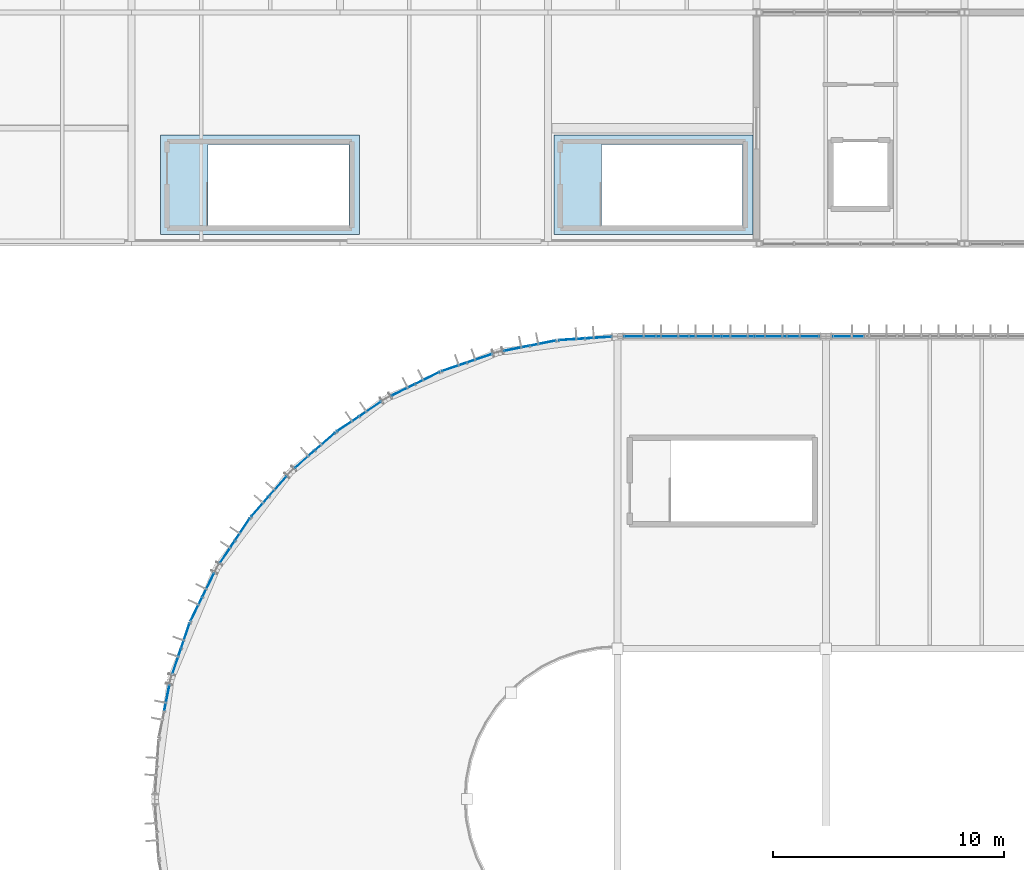
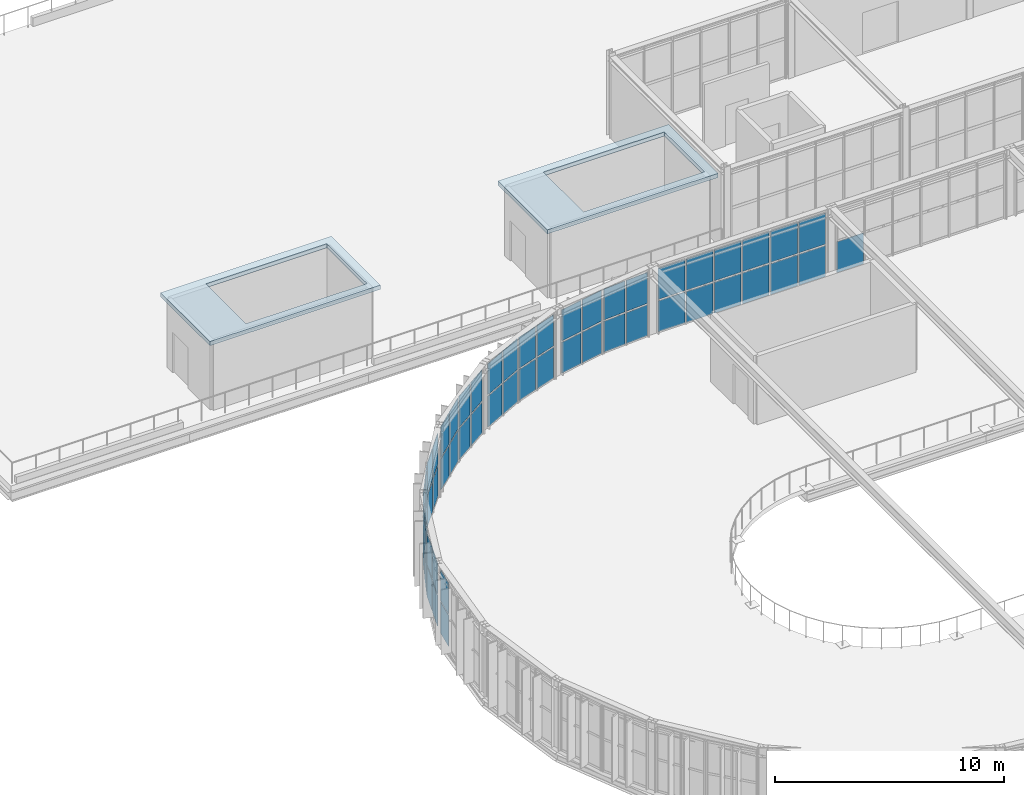
# One storey, part 109 of 152: 55 plates, 2 slabs, 13 elements without a shape of their own.
"""IFC4 building model written with IfcOpenShell, lengths in metres."""

from ifc_helpers import new_model, si_unit, derived_unit, direction, frame, origin, origin_2d, place, context, subcontext, project, spatial, polyline, rectangle, outline, extrude, material, layer, layer_set, type_object, element, aggregate, save


model = new_model("IFC4")

# Units and contexts
model_context = context("Model", 3, precision=1e-05, world=origin(), true_north=direction((0.0, 1.0)))
body_context = subcontext(model_context, "Body", "Model", "MODEL_VIEW")
ifc_project = project(units=[si_unit("LENGTHUNIT", "METRE"), si_unit("AREAUNIT", "SQUARE_METRE"), si_unit("VOLUMEUNIT", "CUBIC_METRE"), si_unit("PLANEANGLEUNIT", "RADIAN"), si_unit("MASSUNIT", "GRAM", prefix="KILO"), si_unit("THERMODYNAMICTEMPERATUREUNIT", "KELVIN"), si_unit("TIMEUNIT", "SECOND"), derived_unit("THERMALTRANSMITTANCEUNIT", [(si_unit("MASSUNIT", "GRAM", prefix="KILO"), 1), (si_unit("THERMODYNAMICTEMPERATUREUNIT", "KELVIN"), -1), (si_unit("TIMEUNIT", "SECOND"), -3)])], contexts=[model_context])

# Site, building, storey
site_placement = place(None, origin())
site = spatial("IfcSite", under=ifc_project, at=site_placement, CompositionType="ELEMENT")
building_placement = place(site_placement, origin())
building = spatial("IfcBuilding", under=site, at=building_placement, Name="Cambertide Market Hall", CompositionType="ELEMENT")
storey_placement = place(building_placement, frame((0.0, 0.0, 5.39990234375)))
storey = spatial("IfcBuildingStorey", under=building, at=storey_placement, Name="L02", CompositionType="ELEMENT", Elevation=5.39990234375)

# Slabs
ifc_material_1 = material(Name="Concrete B30", Category="concrete")
ifc_layer_1 = layer(ifc_material_1, 0.219970703125, Name="Stair Headhouse Roof Slab 220")
ifc_layer_set_1 = layer_set([ifc_layer_1], Name="Concrete B30")
slab_type = type_object("IfcSlabType", Name="Stair Headhouse Roof Slab 220", PredefinedType="ROOF", material=ifc_layer_set_1)
slab_1_placement = place(storey_placement, frame((0.0, 0.0, 3.64013671875)))
element("IfcSlab", 1, at=slab_1_placement, inside=storey, type_object=slab_type, Name="Level 2 Slab RSLB-HH-ST03", PredefinedType="ROOF", context=body_context, shape_type="SweptSolid", body=[
    extrude(outline(polyline([(22.25, 96.39990234375), (30.85009765625, 96.39990234375), (30.85009765625, 100.699951171875), (22.25, 100.699951171875), (22.25, 96.39990234375)]), holes=[polyline([(24.303955078125, 100.300048828125), (30.39990234375, 100.300048828125), (30.39990234375, 96.800048828125), (24.303955078125, 96.800048828125), (24.303955078125, 100.300048828125)])]), origin(), (0.0, 0.0, 1.0), 0.219970703125),
])
slab_2_placement = place(storey_placement, frame((0.0, 0.0, 3.64013671875)))
element("IfcSlab", 2, at=slab_2_placement, inside=storey, type_object=slab_type, Name="Level 2 Slab RSLB-HH-ST03B", PredefinedType="ROOF", context=body_context, shape_type="SweptSolid", body=[
    extrude(outline(polyline([(39.25, 96.39990234375), (47.85009765625, 96.39990234375), (47.85009765625, 100.699951171875), (39.25, 100.699951171875), (39.25, 96.39990234375)]), holes=[polyline([(41.303955078125, 100.300048828125), (47.39990234375, 100.300048828125), (47.39990234375, 96.800048828125), (41.303955078125, 96.800048828125), (41.303955078125, 100.300048828125)])]), origin(), (0.0, 0.0, 1.0), 0.219970703125),
])

# Curtain wall, plates
ifc_material_2 = material(Name="Marine Anodized Aluminium 6063-T6 AA25", Category="aluminium")
curtain_wall_type_1 = type_object("IfcCurtainWallType", Name="Lantern Straight Upper Curtain Wall", PredefinedType="USERDEFINED", material=ifc_material_2)
curtain_wall_1_placement = place(storey_placement, origin())
curtain_wall_1 = element("IfcCurtainWall", 3, at=curtain_wall_1_placement, inside=storey, type_object=curtain_wall_type_1, Name="Level 2 Curtain Wall CW-V1N-L02-1", ObjectType="UNITIZED CURTAIN WALL", PredefinedType="USERDEFINED")
ifc_material_3 = material(Name="Low-E Laminated Insulated Glass", Category="glass")
ifc_layer_2 = layer(ifc_material_3, 0.028076171875, Name="Vision Insulated Glazing Panel 28")
ifc_layer_set_2 = layer_set([ifc_layer_2], Name="Low-E Laminated Insulated Glass")
plate_type = type_object("IfcPlateType", Name="Vision Insulated Glazing Panel 28", PredefinedType="CURTAIN_PANEL", material=ifc_layer_set_2)
plate_1_placement = place(storey_placement, frame((42.958251953125, 92.0, 0.0400390625), z_axis=(0.0, 0.0, 1.0), x_axis=(1.0, 0.0, 0.0)))
plate_1 = element("IfcPlate", 4, at=plate_1_placement, type_object=plate_type, Name="CW-V1N-L02-1 Glazing Panel 1-1", PredefinedType="CURTAIN_PANEL", context=body_context, shape_type="SweptSolid", body=[
    extrude(rectangle(XDim=1.336669921875, YDim=0.028076171875, at=origin_2d()), origin(), (0.0, 0.0, 1.0), 1.64501953125),
])
plate_2_placement = place(storey_placement, frame((44.375, 92.0, 0.0400390625), z_axis=(0.0, 0.0, 1.0), x_axis=(1.0, 0.0, 0.0)))
plate_2 = element("IfcPlate", 5, at=plate_2_placement, type_object=plate_type, Name="CW-V1N-L02-1 Glazing Panel 1-2", PredefinedType="CURTAIN_PANEL", context=body_context, shape_type="SweptSolid", body=[
    extrude(rectangle(XDim=1.336669921875, YDim=0.028076171875, at=origin_2d()), origin(), (0.0, 0.0, 1.0), 1.64501953125),
])
plate_3_placement = place(storey_placement, frame((45.791748046875, 92.0, 0.0400390625), z_axis=(0.0, 0.0, 1.0), x_axis=(1.0, 0.0, 0.0)))
plate_3 = element("IfcPlate", 6, at=plate_3_placement, type_object=plate_type, Name="CW-V1N-L02-1 Glazing Panel 1-3", PredefinedType="CURTAIN_PANEL", context=body_context, shape_type="SweptSolid", body=[
    extrude(rectangle(XDim=1.336669921875, YDim=0.028076171875, at=origin_2d()), origin(), (0.0, 0.0, 1.0), 1.64501953125),
])
plate_4_placement = place(storey_placement, frame((47.208251953125, 92.0, 0.0400390625), z_axis=(0.0, 0.0, 1.0), x_axis=(1.0, 0.0, 0.0)))
plate_4 = element("IfcPlate", 7, at=plate_4_placement, type_object=plate_type, Name="CW-V1N-L02-1 Glazing Panel 1-4", PredefinedType="CURTAIN_PANEL", context=body_context, shape_type="SweptSolid", body=[
    extrude(rectangle(XDim=1.336669921875, YDim=0.028076171875, at=origin_2d()), origin(), (0.0, 0.0, 1.0), 1.64501953125),
])
plate_5_placement = place(storey_placement, frame((48.625, 92.0, 0.0400390625), z_axis=(0.0, 0.0, 1.0), x_axis=(1.0, 0.0, 0.0)))
plate_5 = element("IfcPlate", 8, at=plate_5_placement, type_object=plate_type, Name="CW-V1N-L02-1 Glazing Panel 1-5", PredefinedType="CURTAIN_PANEL", context=body_context, shape_type="SweptSolid", body=[
    extrude(rectangle(XDim=1.336669921875, YDim=0.028076171875, at=origin_2d()), origin(), (0.0, 0.0, 1.0), 1.64501953125),
])
plate_6_placement = place(storey_placement, frame((50.041748046875, 92.0, 0.0400390625), z_axis=(0.0, 0.0, 1.0), x_axis=(1.0, 0.0, 0.0)))
plate_6 = element("IfcPlate", 9, at=plate_6_placement, type_object=plate_type, Name="CW-V1N-L02-1 Glazing Panel 1-6", PredefinedType="CURTAIN_PANEL", context=body_context, shape_type="SweptSolid", body=[
    extrude(rectangle(XDim=1.336669921875, YDim=0.028076171875, at=origin_2d()), origin(), (0.0, 0.0, 1.0), 1.64501953125),
])
plate_7_placement = place(storey_placement, frame((42.958251953125, 92.0, 1.76513671875), z_axis=(0.0, 0.0, 1.0), x_axis=(1.0, 0.0, 0.0)))
plate_7 = element("IfcPlate", 10, at=plate_7_placement, type_object=plate_type, Name="CW-V1N-L02-1 Glazing Panel 2-1", PredefinedType="CURTAIN_PANEL", context=body_context, shape_type="SweptSolid", body=[
    extrude(rectangle(XDim=1.336669921875, YDim=0.028076171875, at=origin_2d()), origin(), (0.0, 0.0, 1.0), 1.64501953125),
])
plate_8_placement = place(storey_placement, frame((44.375, 92.0, 1.76513671875), z_axis=(0.0, 0.0, 1.0), x_axis=(1.0, 0.0, 0.0)))
plate_8 = element("IfcPlate", 11, at=plate_8_placement, type_object=plate_type, Name="CW-V1N-L02-1 Glazing Panel 2-2", PredefinedType="CURTAIN_PANEL", context=body_context, shape_type="SweptSolid", body=[
    extrude(rectangle(XDim=1.336669921875, YDim=0.028076171875, at=origin_2d()), origin(), (0.0, 0.0, 1.0), 1.64501953125),
])
plate_9_placement = place(storey_placement, frame((45.791748046875, 92.0, 1.76513671875), z_axis=(0.0, 0.0, 1.0), x_axis=(1.0, 0.0, 0.0)))
plate_9 = element("IfcPlate", 12, at=plate_9_placement, type_object=plate_type, Name="CW-V1N-L02-1 Glazing Panel 2-3", PredefinedType="CURTAIN_PANEL", context=body_context, shape_type="SweptSolid", body=[
    extrude(rectangle(XDim=1.336669921875, YDim=0.028076171875, at=origin_2d()), origin(), (0.0, 0.0, 1.0), 1.64501953125),
])
plate_10_placement = place(storey_placement, frame((47.208251953125, 92.0, 1.76513671875), z_axis=(0.0, 0.0, 1.0), x_axis=(1.0, 0.0, 0.0)))
plate_10 = element("IfcPlate", 13, at=plate_10_placement, type_object=plate_type, Name="CW-V1N-L02-1 Glazing Panel 2-4", PredefinedType="CURTAIN_PANEL", context=body_context, shape_type="SweptSolid", body=[
    extrude(rectangle(XDim=1.336669921875, YDim=0.028076171875, at=origin_2d()), origin(), (0.0, 0.0, 1.0), 1.64501953125),
])
plate_11_placement = place(storey_placement, frame((48.625, 92.0, 1.76513671875), z_axis=(0.0, 0.0, 1.0), x_axis=(1.0, 0.0, 0.0)))
plate_11 = element("IfcPlate", 14, at=plate_11_placement, type_object=plate_type, Name="CW-V1N-L02-1 Glazing Panel 2-5", PredefinedType="CURTAIN_PANEL", context=body_context, shape_type="SweptSolid", body=[
    extrude(rectangle(XDim=1.336669921875, YDim=0.028076171875, at=origin_2d()), origin(), (0.0, 0.0, 1.0), 1.64501953125),
])
plate_12_placement = place(storey_placement, frame((50.041748046875, 92.0, 1.76513671875), z_axis=(0.0, 0.0, 1.0), x_axis=(1.0, 0.0, 0.0)))
plate_12 = element("IfcPlate", 15, at=plate_12_placement, type_object=plate_type, Name="CW-V1N-L02-1 Glazing Panel 2-6", PredefinedType="CURTAIN_PANEL", context=body_context, shape_type="SweptSolid", body=[
    extrude(rectangle(XDim=1.336669921875, YDim=0.028076171875, at=origin_2d()), origin(), (0.0, 0.0, 1.0), 1.64501953125),
])
aggregate(curtain_wall_1, [plate_1, plate_2, plate_3, plate_4, plate_5, plate_6, plate_7, plate_8, plate_9, plate_10, plate_11, plate_12])

# Curtain wall, plate
curtain_wall_2_placement = place(storey_placement, origin())
curtain_wall_2 = element("IfcCurtainWall", 16, at=curtain_wall_2_placement, inside=storey, type_object=curtain_wall_type_1, Name="Level 2 Curtain Wall CW-V1N-L02-2", ObjectType="UNITIZED CURTAIN WALL", PredefinedType="USERDEFINED")
plate_13_placement = place(storey_placement, frame((51.958251953125, 92.0, 0.0400390625), z_axis=(0.0, 0.0, 1.0), x_axis=(1.0, 0.0, 0.0)))
plate_13 = element("IfcPlate", 17, at=plate_13_placement, type_object=plate_type, Name="CW-V1N-L02-2 Glazing Panel 1-1", PredefinedType="CURTAIN_PANEL", context=body_context, shape_type="SweptSolid", body=[
    extrude(rectangle(XDim=1.336669921875, YDim=0.028076171875, at=origin_2d()), origin(), (0.0, 0.0, 1.0), 1.64501953125),
])
aggregate(curtain_wall_2, [plate_13])

# Curtain wall, plates
ifc_material_4 = material(Name="Marine Anodized Aluminium 6063-T6 AA25", Category="aluminium")
curtain_wall_type_2 = type_object("IfcCurtainWallType", Name="Lantern Apse Chord Upper Curtain Wall", PredefinedType="USERDEFINED", material=ifc_material_4)
curtain_wall_3_placement = place(storey_placement, origin())
curtain_wall_3 = element("IfcCurtainWall", 18, at=curtain_wall_3_placement, inside=storey, type_object=curtain_wall_type_2, Name="Level 2 Curtain Wall CW-V1AW-L02-01", ObjectType="UNITIZED CURTAIN WALL", PredefinedType="USERDEFINED")
plate_14_placement = place(storey_placement, frame((40.002197265625, 91.869140625, 0.0400390625), z_axis=(0.0, 0.0, 1.0), x_axis=(0.997858917819, 0.065403211921, 0.0)))
plate_14 = element("IfcPlate", 19, at=plate_14_placement, type_object=plate_type, Name="CW-V1AW-L02-01 Glazing Panel 1-1", PredefinedType="CURTAIN_PANEL", context=body_context, shape_type="SweptSolid", body=[
    extrude(rectangle(XDim=1.108154296875, YDim=0.028076171875, at=origin_2d()), origin(), (0.0, 0.0, 1.0), 1.64501953125),
])
plate_15_placement = place(storey_placement, frame((41.187744140625, 91.94677734375, 0.0400390625), z_axis=(0.0, 0.0, 1.0), x_axis=(0.997858917819, 0.065403211921, 0.0)))
plate_15 = element("IfcPlate", 20, at=plate_15_placement, type_object=plate_type, Name="CW-V1AW-L02-01 Glazing Panel 1-2", PredefinedType="CURTAIN_PANEL", context=body_context, shape_type="SweptSolid", body=[
    extrude(rectangle(XDim=1.108154296875, YDim=0.028076171875, at=origin_2d()), origin(), (0.0, 0.0, 1.0), 1.64501953125),
])
plate_16_placement = place(storey_placement, frame((40.002197265625, 91.869140625, 1.76513671875), z_axis=(0.0, 0.0, 1.0), x_axis=(0.997858917819, 0.065403211921, 0.0)))
plate_16 = element("IfcPlate", 21, at=plate_16_placement, type_object=plate_type, Name="CW-V1AW-L02-01 Glazing Panel 2-1", PredefinedType="CURTAIN_PANEL", context=body_context, shape_type="SweptSolid", body=[
    extrude(rectangle(XDim=1.108154296875, YDim=0.028076171875, at=origin_2d()), origin(), (0.0, 0.0, 1.0), 1.64501953125),
])
plate_17_placement = place(storey_placement, frame((41.187744140625, 91.94677734375, 1.76513671875), z_axis=(0.0, 0.0, 1.0), x_axis=(0.997858917819, 0.065403211921, 0.0)))
plate_17 = element("IfcPlate", 22, at=plate_17_placement, type_object=plate_type, Name="CW-V1AW-L02-01 Glazing Panel 2-2", PredefinedType="CURTAIN_PANEL", context=body_context, shape_type="SweptSolid", body=[
    extrude(rectangle(XDim=1.108154296875, YDim=0.028076171875, at=origin_2d()), origin(), (0.0, 0.0, 1.0), 1.64501953125),
])
aggregate(curtain_wall_3, [plate_14, plate_15, plate_16, plate_17])

curtain_wall_4_placement = place(storey_placement, origin())
curtain_wall_4 = element("IfcCurtainWall", 23, at=curtain_wall_4_placement, inside=storey, type_object=curtain_wall_type_2, Name="Level 2 Curtain Wall CW-V1AW-L02-02", ObjectType="UNITIZED CURTAIN WALL", PredefinedType="USERDEFINED")
plate_18_placement = place(storey_placement, frame((37.6220703125, 91.477294921875, 0.0400390625), z_axis=(0.0, 0.0, 1.0), x_axis=(0.980785330885, 0.195090068226, 0.0)))
plate_18 = element("IfcPlate", 24, at=plate_18_placement, type_object=plate_type, Name="CW-V1AW-L02-02 Glazing Panel 1-1", PredefinedType="CURTAIN_PANEL", context=body_context, shape_type="SweptSolid", body=[
    extrude(rectangle(XDim=1.108154296875, YDim=0.028076171875, at=origin_2d()), origin(), (0.0, 0.0, 1.0), 1.64501953125),
])
plate_19_placement = place(storey_placement, frame((38.787353515625, 91.708984375, 0.0400390625), z_axis=(0.0, 0.0, 1.0), x_axis=(0.980785330885, 0.195090068226, 0.0)))
plate_19 = element("IfcPlate", 25, at=plate_19_placement, type_object=plate_type, Name="CW-V1AW-L02-02 Glazing Panel 1-2", PredefinedType="CURTAIN_PANEL", context=body_context, shape_type="SweptSolid", body=[
    extrude(rectangle(XDim=1.108154296875, YDim=0.028076171875, at=origin_2d()), origin(), (0.0, 0.0, 1.0), 1.64501953125),
])
plate_20_placement = place(storey_placement, frame((37.6220703125, 91.477294921875, 1.76513671875), z_axis=(0.0, 0.0, 1.0), x_axis=(0.980785330885, 0.195090068226, 0.0)))
plate_20 = element("IfcPlate", 26, at=plate_20_placement, type_object=plate_type, Name="CW-V1AW-L02-02 Glazing Panel 2-1", PredefinedType="CURTAIN_PANEL", context=body_context, shape_type="SweptSolid", body=[
    extrude(rectangle(XDim=1.108154296875, YDim=0.028076171875, at=origin_2d()), origin(), (0.0, 0.0, 1.0), 1.64501953125),
])
plate_21_placement = place(storey_placement, frame((38.787353515625, 91.708984375, 1.76513671875), z_axis=(0.0, 0.0, 1.0), x_axis=(0.980785330885, 0.195090068226, 0.0)))
plate_21 = element("IfcPlate", 27, at=plate_21_placement, type_object=plate_type, Name="CW-V1AW-L02-02 Glazing Panel 2-2", PredefinedType="CURTAIN_PANEL", context=body_context, shape_type="SweptSolid", body=[
    extrude(rectangle(XDim=1.108154296875, YDim=0.028076171875, at=origin_2d()), origin(), (0.0, 0.0, 1.0), 1.64501953125),
])
aggregate(curtain_wall_4, [plate_18, plate_19, plate_20, plate_21])

curtain_wall_5_placement = place(storey_placement, origin())
curtain_wall_5 = element("IfcCurtainWall", 28, at=curtain_wall_5_placement, inside=storey, type_object=curtain_wall_type_2, Name="Level 2 Curtain Wall CW-V1AW-L02-03", ObjectType="UNITIZED CURTAIN WALL", PredefinedType="USERDEFINED")
plate_22_placement = place(storey_placement, frame((34.927734375, 90.675048828125, 0.0400390625), z_axis=(0.0, 0.0, 1.0), x_axis=(0.94693012508, 0.32143947831, 0.0)))
plate_22 = element("IfcPlate", 29, at=plate_22_placement, type_object=plate_type, Name="CW-V1AW-L02-03 Glazing Panel 1-1", PredefinedType="CURTAIN_PANEL", context=body_context, shape_type="SweptSolid", body=[
    extrude(rectangle(XDim=1.108154296875, YDim=0.028076171875, at=origin_2d()), origin(), (0.0, 0.0, 1.0), 1.64501953125),
])
plate_23_placement = place(storey_placement, frame((36.052734375, 91.056884765625, 0.0400390625), z_axis=(0.0, 0.0, 1.0), x_axis=(0.94693012508, 0.32143947831, 0.0)))
plate_23 = element("IfcPlate", 30, at=plate_23_placement, type_object=plate_type, Name="CW-V1AW-L02-03 Glazing Panel 1-2", PredefinedType="CURTAIN_PANEL", context=body_context, shape_type="SweptSolid", body=[
    extrude(rectangle(XDim=1.108154296875, YDim=0.028076171875, at=origin_2d()), origin(), (0.0, 0.0, 1.0), 1.64501953125),
])
plate_24_placement = place(storey_placement, frame((34.927734375, 90.675048828125, 1.76513671875), z_axis=(0.0, 0.0, 1.0), x_axis=(0.94693012508, 0.32143947831, 0.0)))
plate_24 = element("IfcPlate", 31, at=plate_24_placement, type_object=plate_type, Name="CW-V1AW-L02-03 Glazing Panel 2-1", PredefinedType="CURTAIN_PANEL", context=body_context, shape_type="SweptSolid", body=[
    extrude(rectangle(XDim=1.108154296875, YDim=0.028076171875, at=origin_2d()), origin(), (0.0, 0.0, 1.0), 1.64501953125),
])
plate_25_placement = place(storey_placement, frame((36.052734375, 91.056884765625, 1.76513671875), z_axis=(0.0, 0.0, 1.0), x_axis=(0.94693012508, 0.32143947831, 0.0)))
plate_25 = element("IfcPlate", 32, at=plate_25_placement, type_object=plate_type, Name="CW-V1AW-L02-03 Glazing Panel 2-2", PredefinedType="CURTAIN_PANEL", context=body_context, shape_type="SweptSolid", body=[
    extrude(rectangle(XDim=1.108154296875, YDim=0.028076171875, at=origin_2d()), origin(), (0.0, 0.0, 1.0), 1.64501953125),
])
aggregate(curtain_wall_5, [plate_22, plate_23, plate_24, plate_25])

curtain_wall_6_placement = place(storey_placement, origin())
curtain_wall_6 = element("IfcCurtainWall", 33, at=curtain_wall_6_placement, inside=storey, type_object=curtain_wall_type_2, Name="Level 2 Curtain Wall CW-V1AW-L02-04", ObjectType="UNITIZED CURTAIN WALL", PredefinedType="USERDEFINED")
plate_26_placement = place(storey_placement, frame((32.72998046875, 89.6806640625, 0.0400390625), z_axis=(0.0, 0.0, 1.0), x_axis=(0.896872650645, 0.442288874522, 0.0)))
plate_26 = element("IfcPlate", 34, at=plate_26_placement, type_object=plate_type, Name="CW-V1AW-L02-04 Glazing Panel 1-1", PredefinedType="CURTAIN_PANEL", context=body_context, shape_type="SweptSolid", body=[
    extrude(rectangle(XDim=1.108154296875, YDim=0.028076171875, at=origin_2d()), origin(), (0.0, 0.0, 1.0), 1.64501953125),
])
plate_27_placement = place(storey_placement, frame((33.795654296875, 90.2060546875, 0.0400390625), z_axis=(0.0, 0.0, 1.0), x_axis=(0.896872650645, 0.442288874522, 0.0)))
plate_27 = element("IfcPlate", 35, at=plate_27_placement, type_object=plate_type, Name="CW-V1AW-L02-04 Glazing Panel 1-2", PredefinedType="CURTAIN_PANEL", context=body_context, shape_type="SweptSolid", body=[
    extrude(rectangle(XDim=1.108154296875, YDim=0.028076171875, at=origin_2d()), origin(), (0.0, 0.0, 1.0), 1.64501953125),
])
plate_28_placement = place(storey_placement, frame((32.72998046875, 89.6806640625, 1.76513671875), z_axis=(0.0, 0.0, 1.0), x_axis=(0.896872650645, 0.442288874522, 0.0)))
plate_28 = element("IfcPlate", 36, at=plate_28_placement, type_object=plate_type, Name="CW-V1AW-L02-04 Glazing Panel 2-1", PredefinedType="CURTAIN_PANEL", context=body_context, shape_type="SweptSolid", body=[
    extrude(rectangle(XDim=1.108154296875, YDim=0.028076171875, at=origin_2d()), origin(), (0.0, 0.0, 1.0), 1.64501953125),
])
plate_29_placement = place(storey_placement, frame((33.795654296875, 90.2060546875, 1.76513671875), z_axis=(0.0, 0.0, 1.0), x_axis=(0.896872650645, 0.442288874522, 0.0)))
plate_29 = element("IfcPlate", 37, at=plate_29_placement, type_object=plate_type, Name="CW-V1AW-L02-04 Glazing Panel 2-2", PredefinedType="CURTAIN_PANEL", context=body_context, shape_type="SweptSolid", body=[
    extrude(rectangle(XDim=1.108154296875, YDim=0.028076171875, at=origin_2d()), origin(), (0.0, 0.0, 1.0), 1.64501953125),
])
aggregate(curtain_wall_6, [plate_26, plate_27, plate_28, plate_29])

curtain_wall_7_placement = place(storey_placement, origin())
curtain_wall_7 = element("IfcCurtainWall", 38, at=curtain_wall_7_placement, inside=storey, type_object=curtain_wall_type_2, Name="Level 2 Curtain Wall CW-V1AW-L02-05", ObjectType="UNITIZED CURTAIN WALL", PredefinedType="USERDEFINED")
plate_30_placement = place(storey_placement, frame((30.335205078125, 88.208251953125, 0.0400390625), z_axis=(0.0, 0.0, 1.0), x_axis=(0.831469709481, 0.555570087582, 0.0)))
plate_30 = element("IfcPlate", 39, at=plate_30_placement, type_object=plate_type, Name="CW-V1AW-L02-05 Glazing Panel 1-1", PredefinedType="CURTAIN_PANEL", context=body_context, shape_type="SweptSolid", body=[
    extrude(rectangle(XDim=1.108154296875, YDim=0.028076171875, at=origin_2d()), origin(), (0.0, 0.0, 1.0), 1.64501953125),
])
plate_31_placement = place(storey_placement, frame((31.3232421875, 88.8681640625, 0.0400390625), z_axis=(0.0, 0.0, 1.0), x_axis=(0.831469709481, 0.555570087582, 0.0)))
plate_31 = element("IfcPlate", 40, at=plate_31_placement, type_object=plate_type, Name="CW-V1AW-L02-05 Glazing Panel 1-2", PredefinedType="CURTAIN_PANEL", context=body_context, shape_type="SweptSolid", body=[
    extrude(rectangle(XDim=1.108154296875, YDim=0.028076171875, at=origin_2d()), origin(), (0.0, 0.0, 1.0), 1.64501953125),
])
plate_32_placement = place(storey_placement, frame((30.335205078125, 88.208251953125, 1.76513671875), z_axis=(0.0, 0.0, 1.0), x_axis=(0.831469709481, 0.555570087582, 0.0)))
plate_32 = element("IfcPlate", 41, at=plate_32_placement, type_object=plate_type, Name="CW-V1AW-L02-05 Glazing Panel 2-1", PredefinedType="CURTAIN_PANEL", context=body_context, shape_type="SweptSolid", body=[
    extrude(rectangle(XDim=1.108154296875, YDim=0.028076171875, at=origin_2d()), origin(), (0.0, 0.0, 1.0), 1.64501953125),
])
plate_33_placement = place(storey_placement, frame((31.3232421875, 88.8681640625, 1.76513671875), z_axis=(0.0, 0.0, 1.0), x_axis=(0.831469709481, 0.555570087582, 0.0)))
plate_33 = element("IfcPlate", 42, at=plate_33_placement, type_object=plate_type, Name="CW-V1AW-L02-05 Glazing Panel 2-2", PredefinedType="CURTAIN_PANEL", context=body_context, shape_type="SweptSolid", body=[
    extrude(rectangle(XDim=1.108154296875, YDim=0.028076171875, at=origin_2d()), origin(), (0.0, 0.0, 1.0), 1.64501953125),
])
aggregate(curtain_wall_7, [plate_30, plate_31, plate_32, plate_33])

curtain_wall_8_placement = place(storey_placement, origin())
curtain_wall_8 = element("IfcCurtainWall", 43, at=curtain_wall_8_placement, inside=storey, type_object=curtain_wall_type_2, Name="Level 2 Curtain Wall CW-V1AW-L02-06", ObjectType="UNITIZED CURTAIN WALL", PredefinedType="USERDEFINED")
plate_34_placement = place(storey_placement, frame((28.469970703125, 86.678955078125, 0.0400390625), z_axis=(0.0, 0.0, 1.0), x_axis=(0.751839834741, 0.659345784014, 0.0)))
plate_34 = element("IfcPlate", 44, at=plate_34_placement, type_object=plate_type, Name="CW-V1AW-L02-06 Glazing Panel 1-1", PredefinedType="CURTAIN_PANEL", context=body_context, shape_type="SweptSolid", body=[
    extrude(rectangle(XDim=1.108154296875, YDim=0.028076171875, at=origin_2d()), origin(), (0.0, 0.0, 1.0), 1.64501953125),
])
plate_35_placement = place(storey_placement, frame((29.363037109375, 87.462158203125, 0.0400390625), z_axis=(0.0, 0.0, 1.0), x_axis=(0.751839834741, 0.659345784014, 0.0)))
plate_35 = element("IfcPlate", 45, at=plate_35_placement, type_object=plate_type, Name="CW-V1AW-L02-06 Glazing Panel 1-2", PredefinedType="CURTAIN_PANEL", context=body_context, shape_type="SweptSolid", body=[
    extrude(rectangle(XDim=1.108154296875, YDim=0.028076171875, at=origin_2d()), origin(), (0.0, 0.0, 1.0), 1.64501953125),
])
plate_36_placement = place(storey_placement, frame((28.469970703125, 86.678955078125, 1.76513671875), z_axis=(0.0, 0.0, 1.0), x_axis=(0.751839834741, 0.659345784014, 0.0)))
plate_36 = element("IfcPlate", 46, at=plate_36_placement, type_object=plate_type, Name="CW-V1AW-L02-06 Glazing Panel 2-1", PredefinedType="CURTAIN_PANEL", context=body_context, shape_type="SweptSolid", body=[
    extrude(rectangle(XDim=1.108154296875, YDim=0.028076171875, at=origin_2d()), origin(), (0.0, 0.0, 1.0), 1.64501953125),
])
plate_37_placement = place(storey_placement, frame((29.363037109375, 87.462158203125, 1.76513671875), z_axis=(0.0, 0.0, 1.0), x_axis=(0.751839834741, 0.659345784014, 0.0)))
plate_37 = element("IfcPlate", 47, at=plate_37_placement, type_object=plate_type, Name="CW-V1AW-L02-06 Glazing Panel 2-2", PredefinedType="CURTAIN_PANEL", context=body_context, shape_type="SweptSolid", body=[
    extrude(rectangle(XDim=1.108154296875, YDim=0.028076171875, at=origin_2d()), origin(), (0.0, 0.0, 1.0), 1.64501953125),
])
aggregate(curtain_wall_8, [plate_34, plate_35, plate_36, plate_37])

curtain_wall_9_placement = place(storey_placement, origin())
curtain_wall_9 = element("IfcCurtainWall", 48, at=curtain_wall_9_placement, inside=storey, type_object=curtain_wall_type_2, Name="Level 2 Curtain Wall CW-V1AW-L02-07", ObjectType="UNITIZED CURTAIN WALL", PredefinedType="USERDEFINED")
plate_38_placement = place(storey_placement, frame((26.537841796875, 84.636962890625, 0.0400390625), z_axis=(0.0, 0.0, 1.0), x_axis=(0.659345784014, 0.751839834741, 0.0)))
plate_38 = element("IfcPlate", 49, at=plate_38_placement, type_object=plate_type, Name="CW-V1AW-L02-07 Glazing Panel 1-1", PredefinedType="CURTAIN_PANEL", context=body_context, shape_type="SweptSolid", body=[
    extrude(rectangle(XDim=1.108154296875, YDim=0.028076171875, at=origin_2d()), origin(), (0.0, 0.0, 1.0), 1.64501953125),
])
plate_39_placement = place(storey_placement, frame((27.321044921875, 85.530029296875, 0.0400390625), z_axis=(0.0, 0.0, 1.0), x_axis=(0.659345784014, 0.751839834741, 0.0)))
plate_39 = element("IfcPlate", 50, at=plate_39_placement, type_object=plate_type, Name="CW-V1AW-L02-07 Glazing Panel 1-2", PredefinedType="CURTAIN_PANEL", context=body_context, shape_type="SweptSolid", body=[
    extrude(rectangle(XDim=1.108154296875, YDim=0.028076171875, at=origin_2d()), origin(), (0.0, 0.0, 1.0), 1.64501953125),
])
plate_40_placement = place(storey_placement, frame((26.537841796875, 84.636962890625, 1.76513671875), z_axis=(0.0, 0.0, 1.0), x_axis=(0.659345784014, 0.751839834741, 0.0)))
plate_40 = element("IfcPlate", 51, at=plate_40_placement, type_object=plate_type, Name="CW-V1AW-L02-07 Glazing Panel 2-1", PredefinedType="CURTAIN_PANEL", context=body_context, shape_type="SweptSolid", body=[
    extrude(rectangle(XDim=1.108154296875, YDim=0.028076171875, at=origin_2d()), origin(), (0.0, 0.0, 1.0), 1.64501953125),
])
plate_41_placement = place(storey_placement, frame((27.321044921875, 85.530029296875, 1.76513671875), z_axis=(0.0, 0.0, 1.0), x_axis=(0.659345784014, 0.751839834741, 0.0)))
plate_41 = element("IfcPlate", 52, at=plate_41_placement, type_object=plate_type, Name="CW-V1AW-L02-07 Glazing Panel 2-2", PredefinedType="CURTAIN_PANEL", context=body_context, shape_type="SweptSolid", body=[
    extrude(rectangle(XDim=1.108154296875, YDim=0.028076171875, at=origin_2d()), origin(), (0.0, 0.0, 1.0), 1.64501953125),
])
aggregate(curtain_wall_9, [plate_38, plate_39, plate_40, plate_41])

curtain_wall_10_placement = place(storey_placement, origin())
curtain_wall_10 = element("IfcCurtainWall", 53, at=curtain_wall_10_placement, inside=storey, type_object=curtain_wall_type_2, Name="Level 2 Curtain Wall CW-V1AW-L02-08", ObjectType="UNITIZED CURTAIN WALL", PredefinedType="USERDEFINED")
plate_42_placement = place(storey_placement, frame((25.1318359375, 82.6767578125, 0.0400390625), z_axis=(0.0, 0.0, 1.0), x_axis=(0.555570087582, 0.831469709481, 0.0)))
plate_42 = element("IfcPlate", 54, at=plate_42_placement, type_object=plate_type, Name="CW-V1AW-L02-08 Glazing Panel 1-1", PredefinedType="CURTAIN_PANEL", context=body_context, shape_type="SweptSolid", body=[
    extrude(rectangle(XDim=1.108154296875, YDim=0.028076171875, at=origin_2d()), origin(), (0.0, 0.0, 1.0), 1.64501953125),
])
plate_43_placement = place(storey_placement, frame((25.791748046875, 83.664794921875, 0.0400390625), z_axis=(0.0, 0.0, 1.0), x_axis=(0.555570087582, 0.831469709481, 0.0)))
plate_43 = element("IfcPlate", 55, at=plate_43_placement, type_object=plate_type, Name="CW-V1AW-L02-08 Glazing Panel 1-2", PredefinedType="CURTAIN_PANEL", context=body_context, shape_type="SweptSolid", body=[
    extrude(rectangle(XDim=1.108154296875, YDim=0.028076171875, at=origin_2d()), origin(), (0.0, 0.0, 1.0), 1.64501953125),
])
plate_44_placement = place(storey_placement, frame((25.1318359375, 82.6767578125, 1.76513671875), z_axis=(0.0, 0.0, 1.0), x_axis=(0.555570087582, 0.831469709481, 0.0)))
plate_44 = element("IfcPlate", 56, at=plate_44_placement, type_object=plate_type, Name="CW-V1AW-L02-08 Glazing Panel 2-1", PredefinedType="CURTAIN_PANEL", context=body_context, shape_type="SweptSolid", body=[
    extrude(rectangle(XDim=1.108154296875, YDim=0.028076171875, at=origin_2d()), origin(), (0.0, 0.0, 1.0), 1.64501953125),
])
plate_45_placement = place(storey_placement, frame((25.791748046875, 83.664794921875, 1.76513671875), z_axis=(0.0, 0.0, 1.0), x_axis=(0.555570087582, 0.831469709481, 0.0)))
plate_45 = element("IfcPlate", 57, at=plate_45_placement, type_object=plate_type, Name="CW-V1AW-L02-08 Glazing Panel 2-2", PredefinedType="CURTAIN_PANEL", context=body_context, shape_type="SweptSolid", body=[
    extrude(rectangle(XDim=1.108154296875, YDim=0.028076171875, at=origin_2d()), origin(), (0.0, 0.0, 1.0), 1.64501953125),
])
aggregate(curtain_wall_10, [plate_42, plate_43, plate_44, plate_45])

curtain_wall_11_placement = place(storey_placement, origin())
curtain_wall_11 = element("IfcCurtainWall", 58, at=curtain_wall_11_placement, inside=storey, type_object=curtain_wall_type_2, Name="Level 2 Curtain Wall CW-V1AW-L02-09", ObjectType="UNITIZED CURTAIN WALL", PredefinedType="USERDEFINED")
plate_46_placement = place(storey_placement, frame((23.7939453125, 80.204345703125, 0.0400390625), z_axis=(0.0, 0.0, 1.0), x_axis=(0.442288874522, 0.896872650645, 0.0)))
plate_46 = element("IfcPlate", 59, at=plate_46_placement, type_object=plate_type, Name="CW-V1AW-L02-09 Glazing Panel 1-1", PredefinedType="CURTAIN_PANEL", context=body_context, shape_type="SweptSolid", body=[
    extrude(rectangle(XDim=1.108154296875, YDim=0.028076171875, at=origin_2d()), origin(), (0.0, 0.0, 1.0), 1.64501953125),
])
plate_47_placement = place(storey_placement, frame((24.3193359375, 81.27001953125, 0.0400390625), z_axis=(0.0, 0.0, 1.0), x_axis=(0.442288874522, 0.896872650645, 0.0)))
plate_47 = element("IfcPlate", 60, at=plate_47_placement, type_object=plate_type, Name="CW-V1AW-L02-09 Glazing Panel 1-2", PredefinedType="CURTAIN_PANEL", context=body_context, shape_type="SweptSolid", body=[
    extrude(rectangle(XDim=1.108154296875, YDim=0.028076171875, at=origin_2d()), origin(), (0.0, 0.0, 1.0), 1.64501953125),
])
plate_48_placement = place(storey_placement, frame((23.7939453125, 80.204345703125, 1.76513671875), z_axis=(0.0, 0.0, 1.0), x_axis=(0.442288874522, 0.896872650645, 0.0)))
plate_48 = element("IfcPlate", 61, at=plate_48_placement, type_object=plate_type, Name="CW-V1AW-L02-09 Glazing Panel 2-1", PredefinedType="CURTAIN_PANEL", context=body_context, shape_type="SweptSolid", body=[
    extrude(rectangle(XDim=1.108154296875, YDim=0.028076171875, at=origin_2d()), origin(), (0.0, 0.0, 1.0), 1.64501953125),
])
plate_49_placement = place(storey_placement, frame((24.3193359375, 81.27001953125, 1.76513671875), z_axis=(0.0, 0.0, 1.0), x_axis=(0.442288874522, 0.896872650645, 0.0)))
plate_49 = element("IfcPlate", 62, at=plate_49_placement, type_object=plate_type, Name="CW-V1AW-L02-09 Glazing Panel 2-2", PredefinedType="CURTAIN_PANEL", context=body_context, shape_type="SweptSolid", body=[
    extrude(rectangle(XDim=1.108154296875, YDim=0.028076171875, at=origin_2d()), origin(), (0.0, 0.0, 1.0), 1.64501953125),
])
aggregate(curtain_wall_11, [plate_46, plate_47, plate_48, plate_49])

curtain_wall_12_placement = place(storey_placement, origin())
curtain_wall_12 = element("IfcCurtainWall", 63, at=curtain_wall_12_placement, inside=storey, type_object=curtain_wall_type_2, Name="Level 2 Curtain Wall CW-V1AW-L02-10", ObjectType="UNITIZED CURTAIN WALL", PredefinedType="USERDEFINED")
plate_50_placement = place(storey_placement, frame((22.943115234375, 77.947265625, 0.0400390625), z_axis=(0.0, 0.0, 1.0), x_axis=(0.32143947831, 0.94693012508, 0.0)))
plate_50 = element("IfcPlate", 64, at=plate_50_placement, type_object=plate_type, Name="CW-V1AW-L02-10 Glazing Panel 1-1", PredefinedType="CURTAIN_PANEL", context=body_context, shape_type="SweptSolid", body=[
    extrude(rectangle(XDim=1.108154296875, YDim=0.028076171875, at=origin_2d()), origin(), (0.0, 0.0, 1.0), 1.64501953125),
])
plate_51_placement = place(storey_placement, frame((23.324951171875, 79.072265625, 0.0400390625), z_axis=(0.0, 0.0, 1.0), x_axis=(0.32143947831, 0.94693012508, 0.0)))
plate_51 = element("IfcPlate", 65, at=plate_51_placement, type_object=plate_type, Name="CW-V1AW-L02-10 Glazing Panel 1-2", PredefinedType="CURTAIN_PANEL", context=body_context, shape_type="SweptSolid", body=[
    extrude(rectangle(XDim=1.108154296875, YDim=0.028076171875, at=origin_2d()), origin(), (0.0, 0.0, 1.0), 1.64501953125),
])
plate_52_placement = place(storey_placement, frame((22.943115234375, 77.947265625, 1.76513671875), z_axis=(0.0, 0.0, 1.0), x_axis=(0.32143947831, 0.94693012508, 0.0)))
plate_52 = element("IfcPlate", 66, at=plate_52_placement, type_object=plate_type, Name="CW-V1AW-L02-10 Glazing Panel 2-1", PredefinedType="CURTAIN_PANEL", context=body_context, shape_type="SweptSolid", body=[
    extrude(rectangle(XDim=1.108154296875, YDim=0.028076171875, at=origin_2d()), origin(), (0.0, 0.0, 1.0), 1.64501953125),
])
plate_53_placement = place(storey_placement, frame((23.324951171875, 79.072265625, 1.76513671875), z_axis=(0.0, 0.0, 1.0), x_axis=(0.32143947831, 0.94693012508, 0.0)))
plate_53 = element("IfcPlate", 67, at=plate_53_placement, type_object=plate_type, Name="CW-V1AW-L02-10 Glazing Panel 2-2", PredefinedType="CURTAIN_PANEL", context=body_context, shape_type="SweptSolid", body=[
    extrude(rectangle(XDim=1.108154296875, YDim=0.028076171875, at=origin_2d()), origin(), (0.0, 0.0, 1.0), 1.64501953125),
])
aggregate(curtain_wall_12, [plate_50, plate_51, plate_52, plate_53])

curtain_wall_13_placement = place(storey_placement, origin())
curtain_wall_13 = element("IfcCurtainWall", 68, at=curtain_wall_13_placement, inside=storey, type_object=curtain_wall_type_2, Name="Level 2 Curtain Wall CW-V1AW-L02-11", ObjectType="UNITIZED CURTAIN WALL", PredefinedType="USERDEFINED")
plate_54_placement = place(storey_placement, frame((22.522705078125, 76.3779296875, 0.0400390625), z_axis=(0.0, 0.0, 1.0), x_axis=(0.195090068226, 0.980785330885, 0.0)))
plate_54 = element("IfcPlate", 69, at=plate_54_placement, type_object=plate_type, Name="CW-V1AW-L02-11 Glazing Panel 1-2", PredefinedType="CURTAIN_PANEL", context=body_context, shape_type="SweptSolid", body=[
    extrude(rectangle(XDim=1.108154296875, YDim=0.028076171875, at=origin_2d()), origin(), (0.0, 0.0, 1.0), 1.64501953125),
])
plate_55_placement = place(storey_placement, frame((22.522705078125, 76.3779296875, 1.76513671875), z_axis=(0.0, 0.0, 1.0), x_axis=(0.195090068226, 0.980785330885, 0.0)))
plate_55 = element("IfcPlate", 70, at=plate_55_placement, type_object=plate_type, Name="CW-V1AW-L02-11 Glazing Panel 2-2", PredefinedType="CURTAIN_PANEL", context=body_context, shape_type="SweptSolid", body=[
    extrude(rectangle(XDim=1.108154296875, YDim=0.028076171875, at=origin_2d()), origin(), (0.0, 0.0, 1.0), 1.64501953125),
])
aggregate(curtain_wall_13, [plate_54, plate_55])

save(model, "model.ifc")
